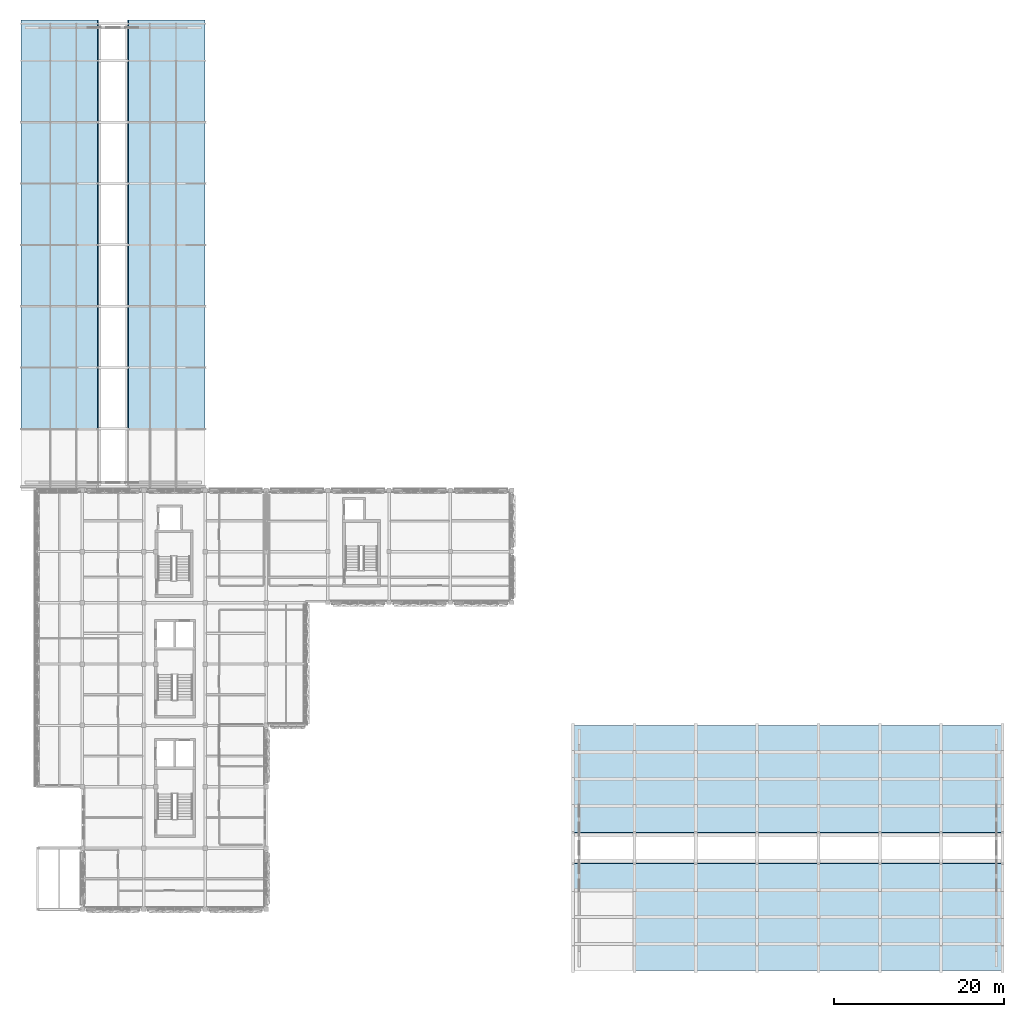
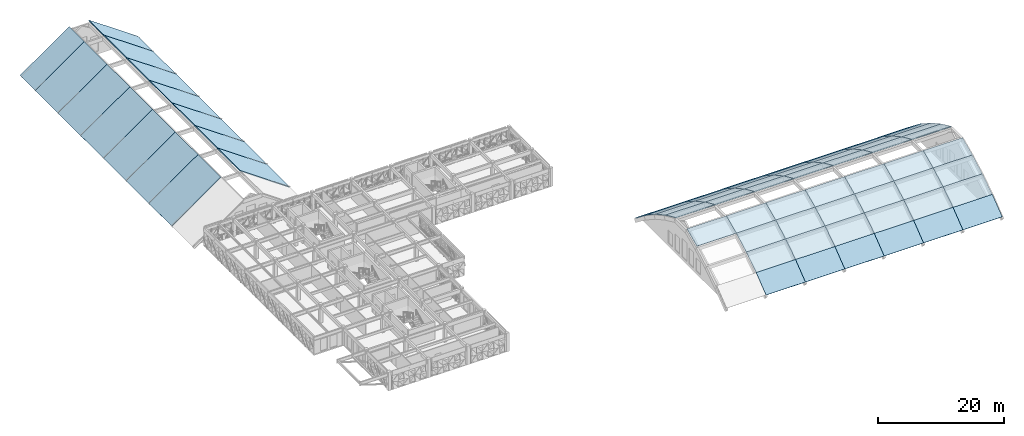
# One storey, part 25 of 48: 67 slabs.
"""IFC4 building model written with IfcOpenShell, lengths in metres."""

from ifc_helpers import new_model, si_unit, direction, frame, origin, place, context, subcontext, project, spatial, polyline, outline, extrude, material, layer, layer_set, type_object, element, save


model = new_model("IFC4")

# Units and contexts
model_context = context("Model", 3, precision=1e-05, world=origin(), true_north=direction((0.0, 1.0)))
body_context = subcontext(model_context, "Body", "Model", "MODEL_VIEW")
ifc_project = project(units=[si_unit("LENGTHUNIT", "METRE"), si_unit("AREAUNIT", "SQUARE_METRE"), si_unit("VOLUMEUNIT", "CUBIC_METRE"), si_unit("PLANEANGLEUNIT", "RADIAN"), si_unit("MASSUNIT", "GRAM", prefix="KILO")], contexts=[model_context])

# Site, building, storey
site_placement = place(None, origin())
site = spatial("IfcSite", under=ifc_project, at=site_placement, CompositionType="ELEMENT")
building_placement = place(site_placement, origin())
building = spatial("IfcBuilding", under=site, at=building_placement, Name="Alvorim Cloister Faculty of Sciences", CompositionType="ELEMENT")
storey_placement = place(building_placement, frame((0.0, 0.0, 19.35009765625)))
storey = spatial("IfcBuildingStorey", under=building, at=storey_placement, Name="L05", CompositionType="ELEMENT", Elevation=19.35009765625)

# Slabs
ifc_material_1 = material(Name="Cross-Laminated Timber CLT C24", Category="wood")
ifc_layer_1 = layer(ifc_material_1, 0.159912109375)
ifc_layer_set_1 = layer_set([ifc_layer_1], Name="Cross-Laminated Timber CLT C24")
slab_type_1 = type_object("IfcSlabType", Name="SL-GABLE-160", PredefinedType="ROOF", material=ifc_layer_set_1)
for number, where, z_axis, x_axis, name in (
    (1, (0.0, 63.60009765625, 0.0), (-0.573569716318, 0.0, 0.819156749665), (0.819156749665, 0.0, 0.573569716318), "Learning Commons West Gable Roof Bay 2"),
    (2, (12.60009765625, 63.60009765625, 6.3017578125), (0.573569716318, 0.0, 0.819156749665), (0.819156749665, 0.0, -0.573569716318), "Learning Commons East Gable Roof Bay 2"),
    (3, (0.0, 70.800048828125, 0.0), (-0.573569716318, 0.0, 0.819156749665), (0.819156749665, 0.0, 0.573569716318), "Learning Commons West Gable Roof Bay 3"),
    (4, (12.60009765625, 70.800048828125, 6.3017578125), (0.573569716318, 0.0, 0.819156749665), (0.819156749665, 0.0, -0.573569716318), "Learning Commons East Gable Roof Bay 3"),
    (5, (0.0, 78.0, 0.0), (-0.573569716318, 0.0, 0.819156749665), (0.819156749665, 0.0, 0.573569716318), "Learning Commons West Gable Roof Bay 4"),
    (6, (12.60009765625, 78.0, 6.3017578125), (0.573569716318, 0.0, 0.819156749665), (0.819156749665, 0.0, -0.573569716318), "Learning Commons East Gable Roof Bay 4"),
    (7, (0.0, 85.199951171875, 0.0), (-0.573569716318, 0.0, 0.819156749665), (0.819156749665, 0.0, 0.573569716318), "Learning Commons West Gable Roof Bay 5"),
    (8, (12.60009765625, 85.199951171875, 6.3017578125), (0.573569716318, 0.0, 0.819156749665), (0.819156749665, 0.0, -0.573569716318), "Learning Commons East Gable Roof Bay 5"),
):
    element("IfcSlab", number, at=place(storey_placement, frame(where, z_axis=z_axis, x_axis=x_axis)), inside=storey, type_object=slab_type_1, Name=name, PredefinedType="ROOF", context=body_context, shape_type="SweptSolid", body=[
        extrude(outline(polyline([(0.0, 0.0), (10.986908187811746, 0.0), (10.986908187811746, 7.199951171875), (0.0, 7.199951171875), (0.0, 0.0)])), origin(), (0.0, 0.0, -1.0), 0.159912109375),
    ])
for number, where, z_axis, x_axis, name in (
    (9, (0.0, 92.39990234375, 0.0), (-0.573569716318, 0.0, 0.819156749665), (0.819156749665, 0.0, 0.573569716318), "Learning Commons West Gable Roof Bay 6"),
    (10, (12.60009765625, 92.39990234375, 6.3017578125), (0.573569716318, 0.0, 0.819156749665), (0.819156749665, 0.0, -0.573569716318), "Learning Commons East Gable Roof Bay 6"),
):
    element("IfcSlab", number, at=place(storey_placement, frame(where, z_axis=z_axis, x_axis=x_axis)), inside=storey, type_object=slab_type_1, Name=name, PredefinedType="ROOF", context=body_context, shape_type="SweptSolid", body=[
        extrude(outline(polyline([(0.0, 0.0), (10.986908187811746, 0.0), (10.986908187811746, 7.2001953125), (0.0, 7.2001953125), (0.0, 0.0)])), origin(), (0.0, 0.0, -1.0), 0.159912109375),
    ])
for number, where, z_axis, x_axis, name in (
    (11, (0.0, 99.60009765625, 0.0), (-0.573569716318, 0.0, 0.819156749665), (0.819156749665, 0.0, 0.573569716318), "Learning Commons West Gable Roof Bay 7"),
    (12, (12.60009765625, 99.60009765625, 6.3017578125), (0.573569716318, 0.0, 0.819156749665), (0.819156749665, 0.0, -0.573569716318), "Learning Commons East Gable Roof Bay 7"),
):
    element("IfcSlab", number, at=place(storey_placement, frame(where, z_axis=z_axis, x_axis=x_axis)), inside=storey, type_object=slab_type_1, Name=name, PredefinedType="ROOF", context=body_context, shape_type="SweptSolid", body=[
        extrude(outline(polyline([(0.0, 0.0), (10.986908187811746, 0.0), (10.986908187811746, 7.199951171875), (0.0, 7.199951171875), (0.0, 0.0)])), origin(), (0.0, 0.0, -1.0), 0.159912109375),
    ])
for number, where, z_axis, x_axis, name in (
    (13, (0.0, 106.800048828125, 0.0), (-0.573569716318, 0.0, 0.819156749665), (0.819156749665, 0.0, 0.573569716318), "Learning Commons West Gable Roof Bay 8"),
    (14, (12.60009765625, 106.800048828125, 6.3017578125), (0.573569716318, 0.0, 0.819156749665), (0.819156749665, 0.0, -0.573569716318), "Learning Commons East Gable Roof Bay 8"),
):
    element("IfcSlab", number, at=place(storey_placement, frame(where, z_axis=z_axis, x_axis=x_axis)), inside=storey, type_object=slab_type_1, Name=name, PredefinedType="ROOF", context=body_context, shape_type="SweptSolid", body=[
        extrude(outline(polyline([(0.0, 0.0), (10.986908187811746, 0.0), (10.986908187811746, 4.800048828125), (0.0, 4.800048828125), (0.0, 0.0)])), origin(), (0.0, 0.0, -1.0), 0.159912109375),
    ])
ifc_material_2 = material(Name="Concrete C40", Category="concrete")
ifc_layer_2 = layer(ifc_material_2, 0.1201171875)
ifc_layer_set_2 = layer_set([ifc_layer_2], Name="Concrete C40")
slab_type_2 = type_object("IfcSlabType", Name="SL-SHELL-120", PredefinedType="ROOF", material=ifc_layer_set_2)
for number, where, z_axis, x_axis, name in (
    (15, (64.800048828125, 9.449951171875, 6.249755859375), (0.0, -0.416778422587, 0.909008111331), (1.0, 0.0, 0.0), "SH-V3 Pointed Concrete Shell Chord 1.S4"),
    (16, (64.800048828125, 16.199951171875, 7.694091796875), (0.0, 0.416778422587, 0.909008111331), (1.0, 0.0, 0.0), "SH-V3 Pointed Concrete Shell Chord 1.N1"),
):
    element("IfcSlab", number, at=place(storey_placement, frame(where, z_axis=z_axis, x_axis=x_axis)), inside=storey, type_object=slab_type_2, Name=name, PredefinedType="ROOF", context=body_context, shape_type="SweptSolid", body=[
        extrude(outline(polyline([(0.0, 0.0), (7.199951171875, 0.0), (7.199951171875, 3.465476759895264), (0.0, 3.465476759895264), (0.0, 0.0)])), origin(), (0.0, 0.0, -1.0), 0.1201171875),
    ])
slab_1_placement = place(storey_placement, frame((64.800048828125, 19.35009765625, 6.249755859375), z_axis=(0.0, 0.48248677866, 0.875903252887), x_axis=(1.0, 0.0, 0.0)))
element("IfcSlab", 17, at=slab_1_placement, inside=storey, type_object=slab_type_2, Name="SH-V3 Pointed Concrete Shell Chord 1.N2", PredefinedType="ROOF", context=body_context, shape_type="SweptSolid", body=[
    extrude(outline(polyline([(0.0, 0.0), (7.199951171875, 0.0), (7.199951171875, 3.5961760997770185), (0.0, 3.5961760997770185), (0.0, 0.0)])), origin(), (0.0, 0.0, -1.0), 0.1201171875),
])
slab_2_placement = place(storey_placement, frame((64.800048828125, 22.5, 4.5146484375), z_axis=(0.0, 0.548206098146, 0.83634327519), x_axis=(1.0, 0.0, 0.0)))
element("IfcSlab", 18, at=slab_2_placement, inside=storey, type_object=slab_type_2, Name="SH-V3 Pointed Concrete Shell Chord 1.N3", PredefinedType="ROOF", context=body_context, shape_type="SweptSolid", body=[
    extrude(outline(polyline([(0.0, 0.0), (7.199951171875, 0.0), (7.199951171875, 3.7662792745415326), (0.0, 3.7662792745415326), (0.0, 0.0)])), origin(), (0.0, 0.0, -1.0), 0.1201171875),
])
slab_3_placement = place(storey_placement, frame((64.800048828125, 25.64990234375, 2.449951171875), z_axis=(0.0, 0.613915201046, 0.789371981973), x_axis=(1.0, 0.0, 0.0)))
element("IfcSlab", 19, at=slab_3_placement, inside=storey, type_object=slab_type_2, Name="SH-V3 Pointed Concrete Shell Chord 1.N4", PredefinedType="ROOF", context=body_context, shape_type="SweptSolid", body=[
    extrude(outline(polyline([(0.0, 0.0), (7.199951171875, 0.0), (7.199951171875, 3.9906996401122266), (0.0, 3.9906996401122266), (0.0, 0.0)])), origin(), (0.0, 0.0, -1.0), 0.1201171875),
])
slab_4_placement = place(storey_placement, frame((72.0, 0.0, 0.0), z_axis=(0.0, -0.613944849069, 0.789348923038), x_axis=(1.0, 0.0, 0.0)))
element("IfcSlab", 20, at=slab_4_placement, inside=storey, type_object=slab_type_2, Name="SH-V3 Pointed Concrete Shell Chord 2.S1", PredefinedType="ROOF", context=body_context, shape_type="SweptSolid", body=[
    extrude(outline(polyline([(0.0, 0.0), (7.199951171875, 0.0), (7.199951171875, 3.990506925157934), (0.0, 3.990506925157934), (0.0, 0.0)])), origin(), (0.0, 0.0, -1.0), 0.1201171875),
])
slab_5_placement = place(storey_placement, frame((72.0, 3.14990234375, 2.449951171875), z_axis=(0.0, -0.548176378921, 0.836362754786), x_axis=(1.0, 0.0, 0.0)))
element("IfcSlab", 21, at=slab_5_placement, inside=storey, type_object=slab_type_2, Name="SH-V3 Pointed Concrete Shell Chord 2.S2", PredefinedType="ROOF", context=body_context, shape_type="SweptSolid", body=[
    extrude(outline(polyline([(0.0, 0.0), (7.199951171875, 0.0), (7.199951171875, 3.766483462289397), (0.0, 3.766483462289397), (0.0, 0.0)])), origin(), (0.0, 0.0, -1.0), 0.1201171875),
])
slab_6_placement = place(storey_placement, frame((72.0, 6.300048828125, 4.5146484375), z_axis=(0.0, -0.48248677866, 0.875903252887), x_axis=(1.0, 0.0, 0.0)))
element("IfcSlab", 22, at=slab_6_placement, inside=storey, type_object=slab_type_2, Name="SH-V3 Pointed Concrete Shell Chord 2.S3", PredefinedType="ROOF", context=body_context, shape_type="SweptSolid", body=[
    extrude(outline(polyline([(0.0, 0.0), (7.199951171875, 0.0), (7.199951171875, 3.5961760997770185), (0.0, 3.5961760997770185), (0.0, 0.0)])), origin(), (0.0, 0.0, -1.0), 0.1201171875),
])
for number, where, z_axis, x_axis, name in (
    (23, (72.0, 9.449951171875, 6.249755859375), (0.0, -0.416778422587, 0.909008111331), (1.0, 0.0, 0.0), "SH-V3 Pointed Concrete Shell Chord 2.S4"),
    (24, (72.0, 16.199951171875, 7.694091796875), (0.0, 0.416778422587, 0.909008111331), (1.0, 0.0, 0.0), "SH-V3 Pointed Concrete Shell Chord 2.N1"),
):
    element("IfcSlab", number, at=place(storey_placement, frame(where, z_axis=z_axis, x_axis=x_axis)), inside=storey, type_object=slab_type_2, Name=name, PredefinedType="ROOF", context=body_context, shape_type="SweptSolid", body=[
        extrude(outline(polyline([(0.0, 0.0), (7.199951171875, 0.0), (7.199951171875, 3.465476759895264), (0.0, 3.465476759895264), (0.0, 0.0)])), origin(), (0.0, 0.0, -1.0), 0.1201171875),
    ])
slab_7_placement = place(storey_placement, frame((72.0, 19.35009765625, 6.249755859375), z_axis=(0.0, 0.48248677866, 0.875903252887), x_axis=(1.0, 0.0, 0.0)))
element("IfcSlab", 25, at=slab_7_placement, inside=storey, type_object=slab_type_2, Name="SH-V3 Pointed Concrete Shell Chord 2.N2", PredefinedType="ROOF", context=body_context, shape_type="SweptSolid", body=[
    extrude(outline(polyline([(0.0, 0.0), (7.199951171875, 0.0), (7.199951171875, 3.5961760997770185), (0.0, 3.5961760997770185), (0.0, 0.0)])), origin(), (0.0, 0.0, -1.0), 0.1201171875),
])
slab_8_placement = place(storey_placement, frame((72.0, 22.5, 4.5146484375), z_axis=(0.0, 0.548206098146, 0.83634327519), x_axis=(1.0, 0.0, 0.0)))
element("IfcSlab", 26, at=slab_8_placement, inside=storey, type_object=slab_type_2, Name="SH-V3 Pointed Concrete Shell Chord 2.N3", PredefinedType="ROOF", context=body_context, shape_type="SweptSolid", body=[
    extrude(outline(polyline([(0.0, 0.0), (7.199951171875, 0.0), (7.199951171875, 3.7662792745415326), (0.0, 3.7662792745415326), (0.0, 0.0)])), origin(), (0.0, 0.0, -1.0), 0.1201171875),
])
slab_9_placement = place(storey_placement, frame((72.0, 25.64990234375, 2.449951171875), z_axis=(0.0, 0.613915201046, 0.789371981973), x_axis=(1.0, 0.0, 0.0)))
element("IfcSlab", 27, at=slab_9_placement, inside=storey, type_object=slab_type_2, Name="SH-V3 Pointed Concrete Shell Chord 2.N4", PredefinedType="ROOF", context=body_context, shape_type="SweptSolid", body=[
    extrude(outline(polyline([(0.0, 0.0), (7.199951171875, 0.0), (7.199951171875, 3.9906996401122266), (0.0, 3.9906996401122266), (0.0, 0.0)])), origin(), (0.0, 0.0, -1.0), 0.1201171875),
])
slab_10_placement = place(storey_placement, frame((79.199951171875, 0.0, 0.0), z_axis=(0.0, -0.613944849069, 0.789348923038), x_axis=(1.0, 0.0, 0.0)))
element("IfcSlab", 28, at=slab_10_placement, inside=storey, type_object=slab_type_2, Name="SH-V3 Pointed Concrete Shell Chord 3.S1", PredefinedType="ROOF", context=body_context, shape_type="SweptSolid", body=[
    extrude(outline(polyline([(0.0, 0.0), (7.199951171875, 0.0), (7.199951171875, 3.990506925157934), (0.0, 3.990506925157934), (0.0, 0.0)])), origin(), (0.0, 0.0, -1.0), 0.1201171875),
])
slab_11_placement = place(storey_placement, frame((79.199951171875, 3.14990234375, 2.449951171875), z_axis=(0.0, -0.548176378921, 0.836362754786), x_axis=(1.0, 0.0, 0.0)))
element("IfcSlab", 29, at=slab_11_placement, inside=storey, type_object=slab_type_2, Name="SH-V3 Pointed Concrete Shell Chord 3.S2", PredefinedType="ROOF", context=body_context, shape_type="SweptSolid", body=[
    extrude(outline(polyline([(0.0, 0.0), (7.199951171875, 0.0), (7.199951171875, 3.766483462289397), (0.0, 3.766483462289397), (0.0, 0.0)])), origin(), (0.0, 0.0, -1.0), 0.1201171875),
])
slab_12_placement = place(storey_placement, frame((79.199951171875, 6.300048828125, 4.5146484375), z_axis=(0.0, -0.48248677866, 0.875903252887), x_axis=(1.0, 0.0, 0.0)))
element("IfcSlab", 30, at=slab_12_placement, inside=storey, type_object=slab_type_2, Name="SH-V3 Pointed Concrete Shell Chord 3.S3", PredefinedType="ROOF", context=body_context, shape_type="SweptSolid", body=[
    extrude(outline(polyline([(0.0, 0.0), (7.199951171875, 0.0), (7.199951171875, 3.5961760997770185), (0.0, 3.5961760997770185), (0.0, 0.0)])), origin(), (0.0, 0.0, -1.0), 0.1201171875),
])
for number, where, z_axis, x_axis, name in (
    (31, (79.199951171875, 9.449951171875, 6.249755859375), (0.0, -0.416778422587, 0.909008111331), (1.0, 0.0, 0.0), "SH-V3 Pointed Concrete Shell Chord 3.S4"),
    (32, (79.199951171875, 16.199951171875, 7.694091796875), (0.0, 0.416778422587, 0.909008111331), (1.0, 0.0, 0.0), "SH-V3 Pointed Concrete Shell Chord 3.N1"),
):
    element("IfcSlab", number, at=place(storey_placement, frame(where, z_axis=z_axis, x_axis=x_axis)), inside=storey, type_object=slab_type_2, Name=name, PredefinedType="ROOF", context=body_context, shape_type="SweptSolid", body=[
        extrude(outline(polyline([(0.0, 0.0), (7.199951171875, 0.0), (7.199951171875, 3.465476759895264), (0.0, 3.465476759895264), (0.0, 0.0)])), origin(), (0.0, 0.0, -1.0), 0.1201171875),
    ])
slab_13_placement = place(storey_placement, frame((79.199951171875, 19.35009765625, 6.249755859375), z_axis=(0.0, 0.48248677866, 0.875903252887), x_axis=(1.0, 0.0, 0.0)))
element("IfcSlab", 33, at=slab_13_placement, inside=storey, type_object=slab_type_2, Name="SH-V3 Pointed Concrete Shell Chord 3.N2", PredefinedType="ROOF", context=body_context, shape_type="SweptSolid", body=[
    extrude(outline(polyline([(0.0, 0.0), (7.199951171875, 0.0), (7.199951171875, 3.5961760997770185), (0.0, 3.5961760997770185), (0.0, 0.0)])), origin(), (0.0, 0.0, -1.0), 0.1201171875),
])
slab_14_placement = place(storey_placement, frame((79.199951171875, 22.5, 4.5146484375), z_axis=(0.0, 0.548206098146, 0.83634327519), x_axis=(1.0, 0.0, 0.0)))
element("IfcSlab", 34, at=slab_14_placement, inside=storey, type_object=slab_type_2, Name="SH-V3 Pointed Concrete Shell Chord 3.N3", PredefinedType="ROOF", context=body_context, shape_type="SweptSolid", body=[
    extrude(outline(polyline([(0.0, 0.0), (7.199951171875, 0.0), (7.199951171875, 3.7662792745415326), (0.0, 3.7662792745415326), (0.0, 0.0)])), origin(), (0.0, 0.0, -1.0), 0.1201171875),
])
slab_15_placement = place(storey_placement, frame((79.199951171875, 25.64990234375, 2.449951171875), z_axis=(0.0, 0.613915201046, 0.789371981973), x_axis=(1.0, 0.0, 0.0)))
element("IfcSlab", 35, at=slab_15_placement, inside=storey, type_object=slab_type_2, Name="SH-V3 Pointed Concrete Shell Chord 3.N4", PredefinedType="ROOF", context=body_context, shape_type="SweptSolid", body=[
    extrude(outline(polyline([(0.0, 0.0), (7.199951171875, 0.0), (7.199951171875, 3.9906996401122266), (0.0, 3.9906996401122266), (0.0, 0.0)])), origin(), (0.0, 0.0, -1.0), 0.1201171875),
])
slab_16_placement = place(storey_placement, frame((86.39990234375, 0.0, 0.0), z_axis=(0.0, -0.613944849069, 0.789348923038), x_axis=(1.0, 0.0, 0.0)))
element("IfcSlab", 36, at=slab_16_placement, inside=storey, type_object=slab_type_2, Name="SH-V3 Pointed Concrete Shell Chord 4.S1", PredefinedType="ROOF", context=body_context, shape_type="SweptSolid", body=[
    extrude(outline(polyline([(0.0, 0.0), (7.2001953125, 0.0), (7.2001953125, 3.990506925157934), (0.0, 3.990506925157934), (0.0, 0.0)])), origin(), (0.0, 0.0, -1.0), 0.1201171875),
])
slab_17_placement = place(storey_placement, frame((86.39990234375, 3.14990234375, 2.449951171875), z_axis=(0.0, -0.548176378921, 0.836362754786), x_axis=(1.0, 0.0, 0.0)))
element("IfcSlab", 37, at=slab_17_placement, inside=storey, type_object=slab_type_2, Name="SH-V3 Pointed Concrete Shell Chord 4.S2", PredefinedType="ROOF", context=body_context, shape_type="SweptSolid", body=[
    extrude(outline(polyline([(0.0, 0.0), (7.2001953125, 0.0), (7.2001953125, 3.766483462289397), (0.0, 3.766483462289397), (0.0, 0.0)])), origin(), (0.0, 0.0, -1.0), 0.1201171875),
])
slab_18_placement = place(storey_placement, frame((86.39990234375, 6.300048828125, 4.5146484375), z_axis=(0.0, -0.48248677866, 0.875903252887), x_axis=(1.0, 0.0, 0.0)))
element("IfcSlab", 38, at=slab_18_placement, inside=storey, type_object=slab_type_2, Name="SH-V3 Pointed Concrete Shell Chord 4.S3", PredefinedType="ROOF", context=body_context, shape_type="SweptSolid", body=[
    extrude(outline(polyline([(0.0, 0.0), (7.2001953125, 0.0), (7.2001953125, 3.59617609977702), (0.0, 3.59617609977702), (0.0, 0.0)])), origin(), (0.0, 0.0, -1.0), 0.1201171875),
])
for number, where, z_axis, x_axis, name in (
    (39, (86.39990234375, 9.449951171875, 6.249755859375), (0.0, -0.416778422587, 0.909008111331), (1.0, 0.0, 0.0), "SH-V3 Pointed Concrete Shell Chord 4.S4"),
    (40, (86.39990234375, 16.199951171875, 7.694091796875), (0.0, 0.416778422587, 0.909008111331), (1.0, 0.0, 0.0), "SH-V3 Pointed Concrete Shell Chord 4.N1"),
):
    element("IfcSlab", number, at=place(storey_placement, frame(where, z_axis=z_axis, x_axis=x_axis)), inside=storey, type_object=slab_type_2, Name=name, PredefinedType="ROOF", context=body_context, shape_type="SweptSolid", body=[
        extrude(outline(polyline([(0.0, 0.0), (7.2001953125, 0.0), (7.2001953125, 3.465476759895264), (0.0, 3.465476759895264), (0.0, 0.0)])), origin(), (0.0, 0.0, -1.0), 0.1201171875),
    ])
slab_19_placement = place(storey_placement, frame((86.39990234375, 19.35009765625, 6.249755859375), z_axis=(0.0, 0.48248677866, 0.875903252887), x_axis=(1.0, 0.0, 0.0)))
element("IfcSlab", 41, at=slab_19_placement, inside=storey, type_object=slab_type_2, Name="SH-V3 Pointed Concrete Shell Chord 4.N2", PredefinedType="ROOF", context=body_context, shape_type="SweptSolid", body=[
    extrude(outline(polyline([(0.0, 0.0), (7.2001953125, 0.0), (7.2001953125, 3.59617609977702), (0.0, 3.59617609977702), (0.0, 0.0)])), origin(), (0.0, 0.0, -1.0), 0.1201171875),
])
slab_20_placement = place(storey_placement, frame((86.39990234375, 22.5, 4.5146484375), z_axis=(0.0, 0.548206098146, 0.83634327519), x_axis=(1.0, 0.0, 0.0)))
element("IfcSlab", 42, at=slab_20_placement, inside=storey, type_object=slab_type_2, Name="SH-V3 Pointed Concrete Shell Chord 4.N3", PredefinedType="ROOF", context=body_context, shape_type="SweptSolid", body=[
    extrude(outline(polyline([(0.0, 0.0), (7.2001953125, 0.0), (7.2001953125, 3.7662792745415334), (0.0, 3.7662792745415334), (0.0, 0.0)])), origin(), (0.0, 0.0, -1.0), 0.1201171875),
])
slab_21_placement = place(storey_placement, frame((86.39990234375, 25.64990234375, 2.449951171875), z_axis=(0.0, 0.613915201046, 0.789371981973), x_axis=(1.0, 0.0, 0.0)))
element("IfcSlab", 43, at=slab_21_placement, inside=storey, type_object=slab_type_2, Name="SH-V3 Pointed Concrete Shell Chord 4.N4", PredefinedType="ROOF", context=body_context, shape_type="SweptSolid", body=[
    extrude(outline(polyline([(0.0, 0.0), (7.2001953125, 0.0), (7.2001953125, 3.9906996401122274), (0.0, 3.9906996401122274), (0.0, 0.0)])), origin(), (0.0, 0.0, -1.0), 0.1201171875),
])
slab_22_placement = place(storey_placement, frame((93.60009765625, 0.0, 0.0), z_axis=(0.0, -0.613944849069, 0.789348923038), x_axis=(1.0, 0.0, 0.0)))
element("IfcSlab", 44, at=slab_22_placement, inside=storey, type_object=slab_type_2, Name="SH-V3 Pointed Concrete Shell Chord 5.S1", PredefinedType="ROOF", context=body_context, shape_type="SweptSolid", body=[
    extrude(outline(polyline([(0.0, 0.0), (7.199951171875, 0.0), (7.199951171875, 3.990506925157934), (0.0, 3.990506925157934), (0.0, 0.0)])), origin(), (0.0, 0.0, -1.0), 0.1201171875),
])
slab_23_placement = place(storey_placement, frame((93.60009765625, 3.14990234375, 2.449951171875), z_axis=(0.0, -0.548176378921, 0.836362754786), x_axis=(1.0, 0.0, 0.0)))
element("IfcSlab", 45, at=slab_23_placement, inside=storey, type_object=slab_type_2, Name="SH-V3 Pointed Concrete Shell Chord 5.S2", PredefinedType="ROOF", context=body_context, shape_type="SweptSolid", body=[
    extrude(outline(polyline([(0.0, 0.0), (7.199951171875, 0.0), (7.199951171875, 3.766483462289397), (0.0, 3.766483462289397), (0.0, 0.0)])), origin(), (0.0, 0.0, -1.0), 0.1201171875),
])
slab_24_placement = place(storey_placement, frame((93.60009765625, 6.300048828125, 4.5146484375), z_axis=(0.0, -0.48248677866, 0.875903252887), x_axis=(1.0, 0.0, 0.0)))
element("IfcSlab", 46, at=slab_24_placement, inside=storey, type_object=slab_type_2, Name="SH-V3 Pointed Concrete Shell Chord 5.S3", PredefinedType="ROOF", context=body_context, shape_type="SweptSolid", body=[
    extrude(outline(polyline([(0.0, 0.0), (7.199951171875, 0.0), (7.199951171875, 3.5961760997770185), (0.0, 3.5961760997770185), (0.0, 0.0)])), origin(), (0.0, 0.0, -1.0), 0.1201171875),
])
for number, where, z_axis, x_axis, name in (
    (47, (93.60009765625, 9.449951171875, 6.249755859375), (0.0, -0.416778422587, 0.909008111331), (1.0, 0.0, 0.0), "SH-V3 Pointed Concrete Shell Chord 5.S4"),
    (48, (93.60009765625, 16.199951171875, 7.694091796875), (0.0, 0.416778422587, 0.909008111331), (1.0, 0.0, 0.0), "SH-V3 Pointed Concrete Shell Chord 5.N1"),
):
    element("IfcSlab", number, at=place(storey_placement, frame(where, z_axis=z_axis, x_axis=x_axis)), inside=storey, type_object=slab_type_2, Name=name, PredefinedType="ROOF", context=body_context, shape_type="SweptSolid", body=[
        extrude(outline(polyline([(0.0, 0.0), (7.199951171875, 0.0), (7.199951171875, 3.465476759895264), (0.0, 3.465476759895264), (0.0, 0.0)])), origin(), (0.0, 0.0, -1.0), 0.1201171875),
    ])
slab_25_placement = place(storey_placement, frame((93.60009765625, 19.35009765625, 6.249755859375), z_axis=(0.0, 0.48248677866, 0.875903252887), x_axis=(1.0, 0.0, 0.0)))
element("IfcSlab", 49, at=slab_25_placement, inside=storey, type_object=slab_type_2, Name="SH-V3 Pointed Concrete Shell Chord 5.N2", PredefinedType="ROOF", context=body_context, shape_type="SweptSolid", body=[
    extrude(outline(polyline([(0.0, 0.0), (7.199951171875, 0.0), (7.199951171875, 3.5961760997770185), (0.0, 3.5961760997770185), (0.0, 0.0)])), origin(), (0.0, 0.0, -1.0), 0.1201171875),
])
slab_26_placement = place(storey_placement, frame((93.60009765625, 22.5, 4.5146484375), z_axis=(0.0, 0.548206098146, 0.83634327519), x_axis=(1.0, 0.0, 0.0)))
element("IfcSlab", 50, at=slab_26_placement, inside=storey, type_object=slab_type_2, Name="SH-V3 Pointed Concrete Shell Chord 5.N3", PredefinedType="ROOF", context=body_context, shape_type="SweptSolid", body=[
    extrude(outline(polyline([(0.0, 0.0), (7.199951171875, 0.0), (7.199951171875, 3.7662792745415326), (0.0, 3.7662792745415326), (0.0, 0.0)])), origin(), (0.0, 0.0, -1.0), 0.1201171875),
])
slab_27_placement = place(storey_placement, frame((93.60009765625, 25.64990234375, 2.449951171875), z_axis=(0.0, 0.613915201046, 0.789371981973), x_axis=(1.0, 0.0, 0.0)))
element("IfcSlab", 51, at=slab_27_placement, inside=storey, type_object=slab_type_2, Name="SH-V3 Pointed Concrete Shell Chord 5.N4", PredefinedType="ROOF", context=body_context, shape_type="SweptSolid", body=[
    extrude(outline(polyline([(0.0, 0.0), (7.199951171875, 0.0), (7.199951171875, 3.9906996401122266), (0.0, 3.9906996401122266), (0.0, 0.0)])), origin(), (0.0, 0.0, -1.0), 0.1201171875),
])
slab_28_placement = place(storey_placement, frame((100.800048828125, 0.0, 0.0), z_axis=(0.0, -0.613944849069, 0.789348923038), x_axis=(1.0, 0.0, 0.0)))
element("IfcSlab", 52, at=slab_28_placement, inside=storey, type_object=slab_type_2, Name="SH-V3 Pointed Concrete Shell Chord 6.S1", PredefinedType="ROOF", context=body_context, shape_type="SweptSolid", body=[
    extrude(outline(polyline([(0.0, 0.0), (7.199951171875, 0.0), (7.199951171875, 3.990506925157934), (0.0, 3.990506925157934), (0.0, 0.0)])), origin(), (0.0, 0.0, -1.0), 0.1201171875),
])
slab_29_placement = place(storey_placement, frame((100.800048828125, 3.14990234375, 2.449951171875), z_axis=(0.0, -0.548176378921, 0.836362754786), x_axis=(1.0, 0.0, 0.0)))
element("IfcSlab", 53, at=slab_29_placement, inside=storey, type_object=slab_type_2, Name="SH-V3 Pointed Concrete Shell Chord 6.S2", PredefinedType="ROOF", context=body_context, shape_type="SweptSolid", body=[
    extrude(outline(polyline([(0.0, 0.0), (7.199951171875, 0.0), (7.199951171875, 3.766483462289397), (0.0, 3.766483462289397), (0.0, 0.0)])), origin(), (0.0, 0.0, -1.0), 0.1201171875),
])
slab_30_placement = place(storey_placement, frame((100.800048828125, 6.300048828125, 4.5146484375), z_axis=(0.0, -0.48248677866, 0.875903252887), x_axis=(1.0, 0.0, 0.0)))
element("IfcSlab", 54, at=slab_30_placement, inside=storey, type_object=slab_type_2, Name="SH-V3 Pointed Concrete Shell Chord 6.S3", PredefinedType="ROOF", context=body_context, shape_type="SweptSolid", body=[
    extrude(outline(polyline([(0.0, 0.0), (7.199951171875, 0.0), (7.199951171875, 3.5961760997770185), (0.0, 3.5961760997770185), (0.0, 0.0)])), origin(), (0.0, 0.0, -1.0), 0.1201171875),
])
for number, where, z_axis, x_axis, name in (
    (55, (100.800048828125, 9.449951171875, 6.249755859375), (0.0, -0.416778422587, 0.909008111331), (1.0, 0.0, 0.0), "SH-V3 Pointed Concrete Shell Chord 6.S4"),
    (56, (100.800048828125, 16.199951171875, 7.694091796875), (0.0, 0.416778422587, 0.909008111331), (1.0, 0.0, 0.0), "SH-V3 Pointed Concrete Shell Chord 6.N1"),
):
    element("IfcSlab", number, at=place(storey_placement, frame(where, z_axis=z_axis, x_axis=x_axis)), inside=storey, type_object=slab_type_2, Name=name, PredefinedType="ROOF", context=body_context, shape_type="SweptSolid", body=[
        extrude(outline(polyline([(0.0, 0.0), (7.199951171875, 0.0), (7.199951171875, 3.465476759895264), (0.0, 3.465476759895264), (0.0, 0.0)])), origin(), (0.0, 0.0, -1.0), 0.1201171875),
    ])
slab_31_placement = place(storey_placement, frame((100.800048828125, 19.35009765625, 6.249755859375), z_axis=(0.0, 0.48248677866, 0.875903252887), x_axis=(1.0, 0.0, 0.0)))
element("IfcSlab", 57, at=slab_31_placement, inside=storey, type_object=slab_type_2, Name="SH-V3 Pointed Concrete Shell Chord 6.N2", PredefinedType="ROOF", context=body_context, shape_type="SweptSolid", body=[
    extrude(outline(polyline([(0.0, 0.0), (7.199951171875, 0.0), (7.199951171875, 3.5961760997770185), (0.0, 3.5961760997770185), (0.0, 0.0)])), origin(), (0.0, 0.0, -1.0), 0.1201171875),
])
slab_32_placement = place(storey_placement, frame((100.800048828125, 22.5, 4.5146484375), z_axis=(0.0, 0.548206098146, 0.83634327519), x_axis=(1.0, 0.0, 0.0)))
element("IfcSlab", 58, at=slab_32_placement, inside=storey, type_object=slab_type_2, Name="SH-V3 Pointed Concrete Shell Chord 6.N3", PredefinedType="ROOF", context=body_context, shape_type="SweptSolid", body=[
    extrude(outline(polyline([(0.0, 0.0), (7.199951171875, 0.0), (7.199951171875, 3.7662792745415326), (0.0, 3.7662792745415326), (0.0, 0.0)])), origin(), (0.0, 0.0, -1.0), 0.1201171875),
])
slab_33_placement = place(storey_placement, frame((100.800048828125, 25.64990234375, 2.449951171875), z_axis=(0.0, 0.613915201046, 0.789371981973), x_axis=(1.0, 0.0, 0.0)))
element("IfcSlab", 59, at=slab_33_placement, inside=storey, type_object=slab_type_2, Name="SH-V3 Pointed Concrete Shell Chord 6.N4", PredefinedType="ROOF", context=body_context, shape_type="SweptSolid", body=[
    extrude(outline(polyline([(0.0, 0.0), (7.199951171875, 0.0), (7.199951171875, 3.9906996401122266), (0.0, 3.9906996401122266), (0.0, 0.0)])), origin(), (0.0, 0.0, -1.0), 0.1201171875),
])
slab_34_placement = place(storey_placement, frame((108.0, 0.0, 0.0), z_axis=(0.0, -0.613944849069, 0.789348923038), x_axis=(1.0, 0.0, 0.0)))
element("IfcSlab", 60, at=slab_34_placement, inside=storey, type_object=slab_type_2, Name="SH-V3 Pointed Concrete Shell Chord 7.S1", PredefinedType="ROOF", context=body_context, shape_type="SweptSolid", body=[
    extrude(outline(polyline([(0.0, 0.0), (7.199951171875, 0.0), (7.199951171875, 3.990506925157934), (0.0, 3.990506925157934), (0.0, 0.0)])), origin(), (0.0, 0.0, -1.0), 0.1201171875),
])
slab_35_placement = place(storey_placement, frame((108.0, 3.14990234375, 2.449951171875), z_axis=(0.0, -0.548176378921, 0.836362754786), x_axis=(1.0, 0.0, 0.0)))
element("IfcSlab", 61, at=slab_35_placement, inside=storey, type_object=slab_type_2, Name="SH-V3 Pointed Concrete Shell Chord 7.S2", PredefinedType="ROOF", context=body_context, shape_type="SweptSolid", body=[
    extrude(outline(polyline([(0.0, 0.0), (7.199951171875, 0.0), (7.199951171875, 3.766483462289397), (0.0, 3.766483462289397), (0.0, 0.0)])), origin(), (0.0, 0.0, -1.0), 0.1201171875),
])
slab_36_placement = place(storey_placement, frame((108.0, 6.300048828125, 4.5146484375), z_axis=(0.0, -0.48248677866, 0.875903252887), x_axis=(1.0, 0.0, 0.0)))
element("IfcSlab", 62, at=slab_36_placement, inside=storey, type_object=slab_type_2, Name="SH-V3 Pointed Concrete Shell Chord 7.S3", PredefinedType="ROOF", context=body_context, shape_type="SweptSolid", body=[
    extrude(outline(polyline([(0.0, 0.0), (7.199951171875, 0.0), (7.199951171875, 3.5961760997770185), (0.0, 3.5961760997770185), (0.0, 0.0)])), origin(), (0.0, 0.0, -1.0), 0.1201171875),
])
for number, where, z_axis, x_axis, name in (
    (63, (108.0, 9.449951171875, 6.249755859375), (0.0, -0.416778422587, 0.909008111331), (1.0, 0.0, 0.0), "SH-V3 Pointed Concrete Shell Chord 7.S4"),
    (64, (108.0, 16.199951171875, 7.694091796875), (0.0, 0.416778422587, 0.909008111331), (1.0, 0.0, 0.0), "SH-V3 Pointed Concrete Shell Chord 7.N1"),
):
    element("IfcSlab", number, at=place(storey_placement, frame(where, z_axis=z_axis, x_axis=x_axis)), inside=storey, type_object=slab_type_2, Name=name, PredefinedType="ROOF", context=body_context, shape_type="SweptSolid", body=[
        extrude(outline(polyline([(0.0, 0.0), (7.199951171875, 0.0), (7.199951171875, 3.465476759895264), (0.0, 3.465476759895264), (0.0, 0.0)])), origin(), (0.0, 0.0, -1.0), 0.1201171875),
    ])
slab_37_placement = place(storey_placement, frame((108.0, 19.35009765625, 6.249755859375), z_axis=(0.0, 0.48248677866, 0.875903252887), x_axis=(1.0, 0.0, 0.0)))
element("IfcSlab", 65, at=slab_37_placement, inside=storey, type_object=slab_type_2, Name="SH-V3 Pointed Concrete Shell Chord 7.N2", PredefinedType="ROOF", context=body_context, shape_type="SweptSolid", body=[
    extrude(outline(polyline([(0.0, 0.0), (7.199951171875, 0.0), (7.199951171875, 3.5961760997770185), (0.0, 3.5961760997770185), (0.0, 0.0)])), origin(), (0.0, 0.0, -1.0), 0.1201171875),
])
slab_38_placement = place(storey_placement, frame((108.0, 22.5, 4.5146484375), z_axis=(0.0, 0.548206098146, 0.83634327519), x_axis=(1.0, 0.0, 0.0)))
element("IfcSlab", 66, at=slab_38_placement, inside=storey, type_object=slab_type_2, Name="SH-V3 Pointed Concrete Shell Chord 7.N3", PredefinedType="ROOF", context=body_context, shape_type="SweptSolid", body=[
    extrude(outline(polyline([(0.0, 0.0), (7.199951171875, 0.0), (7.199951171875, 3.7662792745415326), (0.0, 3.7662792745415326), (0.0, 0.0)])), origin(), (0.0, 0.0, -1.0), 0.1201171875),
])
slab_39_placement = place(storey_placement, frame((108.0, 25.64990234375, 2.449951171875), z_axis=(0.0, 0.613915201046, 0.789371981973), x_axis=(1.0, 0.0, 0.0)))
element("IfcSlab", 67, at=slab_39_placement, inside=storey, type_object=slab_type_2, Name="SH-V3 Pointed Concrete Shell Chord 7.N4", PredefinedType="ROOF", context=body_context, shape_type="SweptSolid", body=[
    extrude(outline(polyline([(0.0, 0.0), (7.199951171875, 0.0), (7.199951171875, 3.9906996401122266), (0.0, 3.9906996401122266), (0.0, 0.0)])), origin(), (0.0, 0.0, -1.0), 0.1201171875),
])

save(model, "model.ifc")
